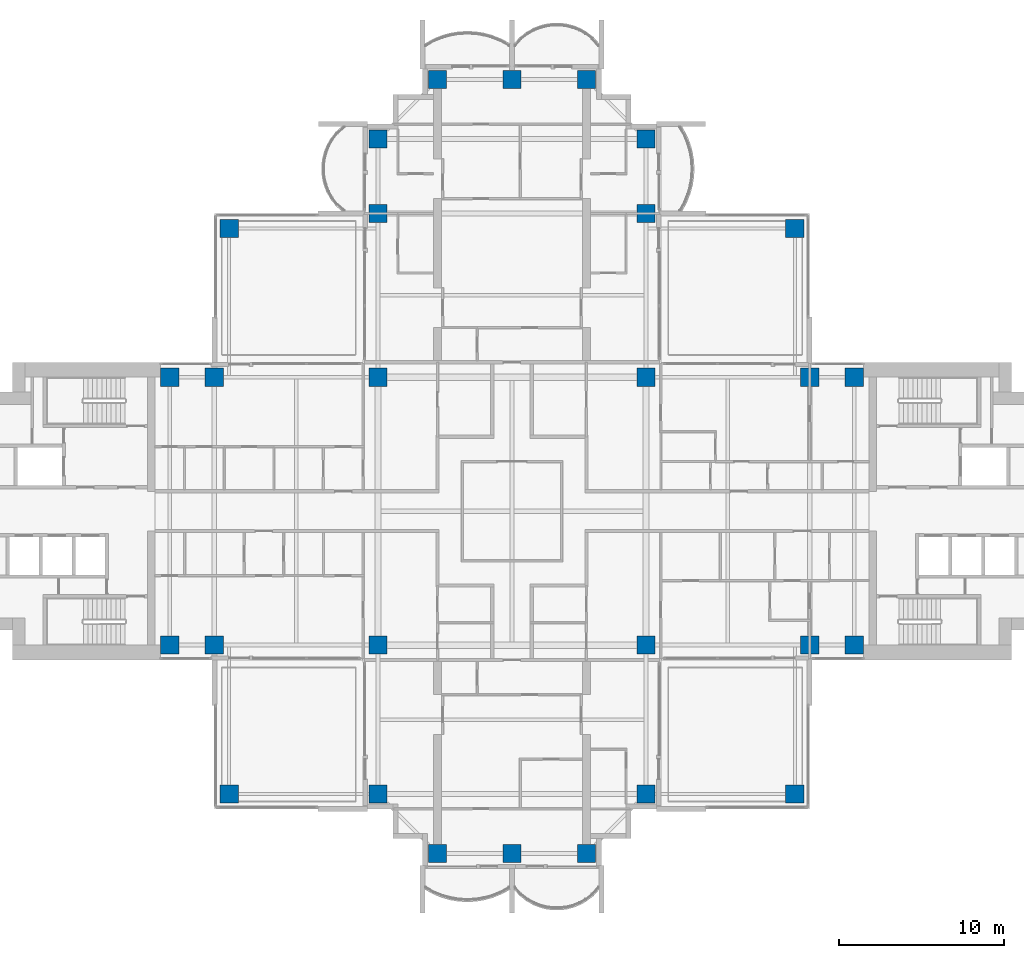
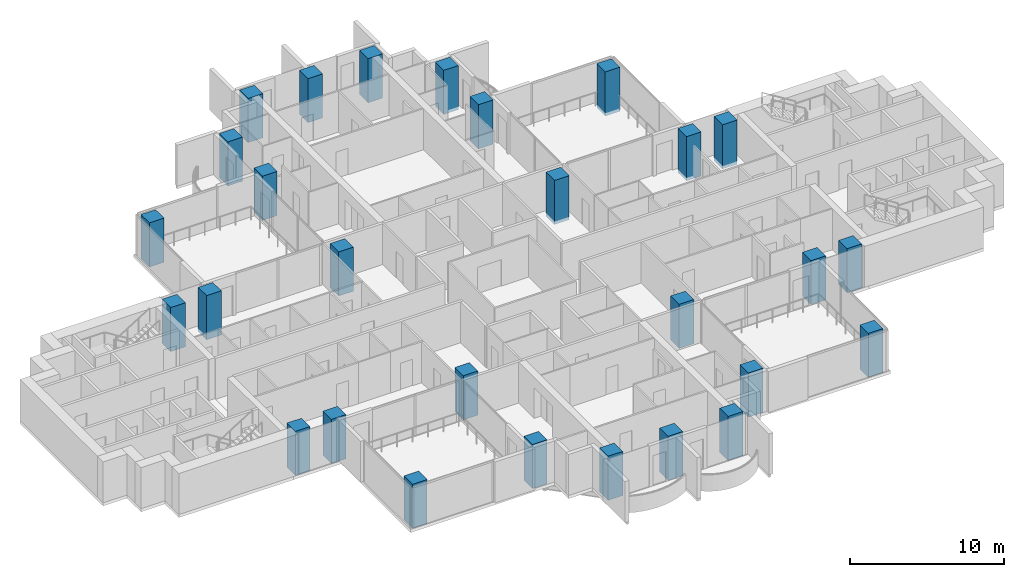
# One storey, part 1 of 19: 28 columns.
"""IFC4 building model written with IfcOpenShell, lengths in metres."""

import ifcopenshell
import ifcopenshell.guid

model = None  # the IFC model being written
_history = None  # IfcOwnerHistory: only IFC2X3 demands one
_inside = {}  # id of a spatial element -> (the spatial element, [elements in it])
_under = {}  # id of a project, library or spatial element -> (it, [spatial elements below it])
_declared = {}  # id of a project -> (the project, [libraries it declares])
_typed = {}  # id of a type object -> (the type object, [elements of that type])
_made_of = {}  # id of a material, layer set ... -> (it, [elements and type objects made of it])


def new_model(schema):
    """Start an empty IFC model of exactly this schema.

    Asked for "IFC4X3", IfcOpenShell would pick the latest addendum, in which some entities
    have other attributes; the version numbers below select the first issue.
    IFC2X3 requires an IfcOwnerHistory on every rooted entity: one is made here for all.
    """
    global model, _history
    if schema == "IFC4X3":
        model = ifcopenshell.file(schema_version=(4, 3, 0, 0))
    else:
        model = ifcopenshell.file(schema=schema)
    _inside.clear()
    _under.clear()
    _declared.clear()
    _typed.clear()
    _made_of.clear()
    _history = None
    if model.schema == "IFC2X3":
        org = make("IfcOrganization", Name="unknown")
        user = make(
            "IfcPersonAndOrganization",
            ThePerson=make("IfcPerson", FamilyName="unknown"),
            TheOrganization=org,
        )
        app = make(
            "IfcApplication",
            ApplicationDeveloper=org,
            Version="unknown",
            ApplicationFullName="unknown",
            ApplicationIdentifier="unknown",
        )
        _history = make(
            "IfcOwnerHistory",
            OwningUser=user,
            OwningApplication=app,
            ChangeAction="ADDED",
            CreationDate=0,
        )
    return model


def make(cls, **values):
    """One entity of the class cls with the attributes given. An attribute that is None is left unset."""
    return model.create_entity(
        cls, **{name: value for name, value in values.items() if value is not None}
    )


def rooted(cls, **values):
    """An entity with a GlobalId (a new one), such as an element, a storey or a relation."""
    return make(cls, GlobalId=ifcopenshell.guid.new(), OwnerHistory=_history, **values)


def si_unit(unit_type, name, prefix=None):
    """IfcSIUnit, for example si_unit("LENGTHUNIT", "METRE", prefix="MILLI")."""
    return make("IfcSIUnit", UnitType=unit_type, Prefix=prefix, Name=name)


def assignment(units):
    """IfcUnitAssignment: the units of a project."""
    return None if units is None else make("IfcUnitAssignment", Units=units)


def point(xyz):
    """IfcCartesianPoint."""
    return None if xyz is None else make("IfcCartesianPoint", Coordinates=xyz)


def direction(xyz):
    """IfcDirection."""
    return None if xyz is None else make("IfcDirection", DirectionRatios=xyz)


def frame(location, z_axis=None, x_axis=None):
    """IfcAxis2Placement3D, a coordinate frame: its origin and axes. An axis left out is left unset."""
    return make(
        "IfcAxis2Placement3D",
        Location=point(location),
        Axis=direction(z_axis),
        RefDirection=direction(x_axis),
    )


def frame_2d(location, x_axis=None):
    """IfcAxis2Placement2D, a coordinate frame in the plane: its origin and x axis."""
    return make(
        "IfcAxis2Placement2D", Location=point(location), RefDirection=direction(x_axis)
    )


def origin():
    """The frame at (0, 0, 0) with its axes left unset."""
    return frame((0.0, 0.0, 0.0))


def origin_2d():
    """The frame at (0, 0) in the plane with its x axis left unset."""
    return frame_2d((0.0, 0.0))


def place(relative_to, where):
    """IfcLocalPlacement: puts the frame where relative to a parent placement (None: the world)."""
    return make(
        "IfcLocalPlacement", PlacementRelTo=relative_to, RelativePlacement=where
    )


def context(
    kind, dimensions, precision=None, world=None, true_north=None, identifier=None
):
    """IfcGeometricRepresentationContext, for example the 3D "Model" context."""
    return make(
        "IfcGeometricRepresentationContext",
        ContextIdentifier=identifier,
        ContextType=kind,
        CoordinateSpaceDimension=dimensions,
        Precision=precision,
        WorldCoordinateSystem=world,
        TrueNorth=true_north,
    )


def subcontext(parent, identifier, kind, view, scale=None):
    """IfcGeometricRepresentationSubContext, for example "Body" below "Model"."""
    return make(
        "IfcGeometricRepresentationSubContext",
        ContextIdentifier=identifier,
        ContextType=kind,
        ParentContext=parent,
        TargetScale=scale,
        TargetView=view,
    )


def project(units=None, contexts=None):
    """IfcProject with its units and contexts."""
    return rooted(
        "IfcProject",
        Name="project",
        RepresentationContexts=contexts,
        UnitsInContext=assignment(units),
    )


def spatial(cls, under=None, at=None, **own):
    """A site, building, storey or space (cls), placed at a placement, below another one or the project."""
    s = rooted(cls, ObjectPlacement=at, **own)
    if under is not None:
        _under.setdefault(under.id(), (under, []))[1].append(s)
    return s


def profile(cls, at=None, kind="AREA", **sizes):
    """A parametric profile (cls). Its sizes go by their IFC names, for example OverallWidth=200.0."""
    return make(cls, ProfileType=kind, Position=at, **sizes)


def rectangle(**sizes):
    """IfcRectangleProfileDef."""
    return profile("IfcRectangleProfileDef", **sizes)


def extrude(swept, where, along, depth):
    """IfcExtrudedAreaSolid: the profile swept, set in the frame where, extruded along a direction by depth."""
    return make(
        "IfcExtrudedAreaSolid",
        SweptArea=swept,
        Position=where,
        ExtrudedDirection=direction(along),
        Depth=depth,
    )


def shape(context_of_items, identifier, shape_type, items):
    """IfcShapeRepresentation: the items that make up one representation, for example the "Body"."""
    return make(
        "IfcShapeRepresentation",
        ContextOfItems=context_of_items,
        RepresentationIdentifier=identifier,
        RepresentationType=shape_type,
        Items=items,
    )


def material(Name=None, Category=None):
    """IfcMaterial."""
    return make("IfcMaterial", Name=Name, Category=Category)


def material_profile(
    of_material, cross_section, Name=None, Category=None, Priority=None
):
    """IfcMaterialProfile: a cross section and its material."""
    return make(
        "IfcMaterialProfile",
        Name=Name,
        Material=of_material,
        Profile=cross_section,
        Priority=Priority,
        Category=Category,
    )


def profile_set(profiles, Name=None, composite=None):
    """IfcMaterialProfileSet."""
    return make(
        "IfcMaterialProfileSet",
        Name=Name,
        MaterialProfiles=profiles,
        CompositeProfile=composite,
    )


def made_of(thing, what):
    """Note that an element or type object is made of a material, layer set ...; save() writes the relation."""
    if what is not None:
        _made_of.setdefault(what.id(), (what, []))[1].append(thing)
    return thing


def type_object(cls, material=None, **own):
    """A type object (cls), such as IfcWallType, which elements share."""
    return made_of(rooted(cls, **own), material)


def element(
    cls,
    number,
    at=None,
    inside=None,
    cuts=None,
    type_object=None,
    material=None,
    context=None,
    identifier="Body",
    shape_type=None,
    held_by="IfcProductDefinitionShape",
    body=None,
    shapes=None,
    **own,
):
    """One element of the class cls, such as IfcWall. Its Tag is "e" and its number.

    at: its placement. inside: the storey or other place that contains it. cuts: it is an
    opening in that element (IfcRelVoidsElement). A single representation is given by context,
    identifier, shape_type and body (its items); several are given by shapes. held_by: the class
    of the entity that holds the representations. save() writes the other relations.
    """
    e = rooted(cls, Tag="e%d" % number, ObjectPlacement=at, **own)
    if body is not None:
        shapes = [shape(context, identifier, shape_type, body)]
    if shapes is not None:
        e.Representation = make(held_by, Representations=shapes)
    if inside is not None:
        _inside.setdefault(inside.id(), (inside, []))[1].append(e)
    if cuts is not None:
        rooted(
            "IfcRelVoidsElement", RelatingBuildingElement=cuts, RelatedOpeningElement=e
        )
    if type_object is not None:
        _typed.setdefault(type_object.id(), (type_object, []))[1].append(e)
    return made_of(e, material)


def aggregate(whole, parts):
    """IfcRelAggregates: a whole, such as a stair, and the parts it consists of."""
    return rooted("IfcRelAggregates", RelatingObject=whole, RelatedObjects=parts)


def save(model, path):
    """Write the relations noted so far, then the file.

    IfcRelAggregates (storeys below a building ...), IfcRelContainedInSpatialStructure (elements
    in a storey), IfcRelDefinesByType, IfcRelAssociatesMaterial and IfcRelDeclares: one each for
    every whole, place, type object, material and project.
    """
    for whole, parts in _under.values():
        aggregate(whole, parts)
    for where, things in _inside.values():
        rooted(
            "IfcRelContainedInSpatialStructure",
            RelatedElements=things,
            RelatingStructure=where,
        )
    for kind, things in _typed.values():
        rooted("IfcRelDefinesByType", RelatedObjects=things, RelatingType=kind)
    for what, things in _made_of.values():
        rooted("IfcRelAssociatesMaterial", RelatedObjects=things, RelatingMaterial=what)
    for by, libraries in _declared.values():
        rooted("IfcRelDeclares", RelatingContext=by, RelatedDefinitions=libraries)
    model.write(path)


model = new_model("IFC4")

# Units and contexts
model_context = context("Model", 3, precision=1e-05, world=origin(), true_north=direction((0.0, 1.0)))
body_context = subcontext(model_context, "Body", "Model", "MODEL_VIEW")
ifc_project = project(units=[si_unit("LENGTHUNIT", "METRE"), si_unit("AREAUNIT", "SQUARE_METRE"), si_unit("VOLUMEUNIT", "CUBIC_METRE"), si_unit("PLANEANGLEUNIT", "RADIAN"), si_unit("MASSUNIT", "GRAM", prefix="KILO")], contexts=[model_context])

# Site, building, storey
site_placement = place(None, origin())
site = spatial("IfcSite", under=ifc_project, at=site_placement, CompositionType="ELEMENT")
building_placement = place(site_placement, origin())
building = spatial("IfcBuilding", under=site, at=building_placement, Name="Perihelion Cross Residences", CompositionType="ELEMENT")
storey_placement = place(building_placement, frame((0.0, 0.0, 144.39990234375)))
storey = spatial("IfcBuildingStorey", under=building, at=storey_placement, Name="L35", CompositionType="ELEMENT", Elevation=144.39990234375)

# Columns
ifc_material = material(Name="Concrete C60/75", Category="concrete")
ifc_material_profile = material_profile(ifc_material, rectangle(XDim=1.10009765625, YDim=1.10009765625, at=origin_2d()), Name="RC 1100x1100")
ifc_profile_set = profile_set([ifc_material_profile], Name="Concrete C60/75")
column_type = type_object("IfcColumnType", Name="Reinforced concrete column 1100x1100 C60/75", PredefinedType="COLUMN", material=ifc_profile_set)
for number, where, z_axis, x_axis, name in (
    (1, (-20.699951171875, -8.10009765625, -0.25), (0.0, 0.0, 1.0), (1.0, 0.0, 0.0), "Column C017 L35 no. 1"),
    (2, (-20.699951171875, 8.10009765625, -0.25), (0.0, 0.0, 1.0), (1.0, 0.0, 0.0), "Column C010 L35 no. 1"),
    (3, (-18.0, -8.10009765625, -0.25), (0.0, 0.0, 1.0), (1.0, 0.0, 0.0), "Column C018 L35 no. 1"),
    (4, (-18.0, 8.10009765625, -0.25), (0.0, 0.0, 1.0), (1.0, 0.0, 0.0), "Column C011 L35 no. 1"),
    (5, (-8.10009765625, -17.10009765625, -0.25), (0.0, 0.0, 1.0), (1.0, 0.0, 0.0), "Column C031 L35 no. 1"),
    (6, (-8.10009765625, -8.10009765625, -0.25), (0.0, 0.0, 1.0), (1.0, 0.0, 0.0), "Column C019 L35 no. 1"),
    (7, (-8.10009765625, 8.10009765625, -0.25), (0.0, 0.0, 1.0), (1.0, 0.0, 0.0), "Column C012 L35 no. 1"),
    (8, (-8.10009765625, 18.0, -0.25), (0.0, 0.0, 1.0), (1.0, 0.0, 0.0), "Column C006 L35 no. 1"),
    (9, (-8.10009765625, 22.5, -0.25), (0.0, 0.0, 1.0), (1.0, 0.0, 0.0), "Column C004 L35 no. 1"),
    (10, (-4.5, -20.699951171875, -0.25), (0.0, 0.0, 1.0), (1.0, 0.0, 0.0), "Column C037 L35 no. 1"),
    (11, (-4.5, 26.10009765625, -0.25), (0.0, 0.0, 1.0), (1.0, 0.0, 0.0), "Column C001 L35 no. 1"),
    (12, (0.0, -20.699951171875, -0.25), (0.0, 0.0, 1.0), (1.0, 0.0, 0.0), "Column C038 L35 no. 1"),
    (13, (0.0, 26.10009765625, -0.25), (0.0, 0.0, 1.0), (1.0, 0.0, 0.0), "Column C002 L35 no. 1"),
    (14, (4.5, -20.699951171875, -0.25), (0.0, 0.0, 1.0), (1.0, 0.0, 0.0), "Column C039 L35 no. 1"),
    (15, (4.5, 26.10009765625, -0.25), (0.0, 0.0, 1.0), (1.0, 0.0, 0.0), "Column C003 L35 no. 1"),
    (16, (8.10009765625, -17.10009765625, -0.25), (0.0, 0.0, 1.0), (1.0, 0.0, 0.0), "Column C035 L35 no. 1"),
    (17, (8.10009765625, -8.10009765625, -0.25), (0.0, 0.0, 1.0), (1.0, 0.0, 0.0), "Column C020 L35 no. 1"),
    (18, (8.10009765625, 8.10009765625, -0.25), (0.0, 0.0, 1.0), (1.0, 0.0, 0.0), "Column C014 L35 no. 1"),
    (19, (8.10009765625, 18.0, -0.25), (0.0, 0.0, 1.0), (1.0, 0.0, 0.0), "Column C007 L35 no. 1"),
    (20, (8.10009765625, 22.5, -0.25), (0.0, 0.0, 1.0), (1.0, 0.0, 0.0), "Column C005 L35 no. 1"),
    (21, (18.0, -8.10009765625, -0.25), (0.0, 0.0, 1.0), (1.0, 0.0, 0.0), "Column C021 L35 no. 1"),
    (22, (18.0, 8.10009765625, -0.25), (0.0, 0.0, 1.0), (1.0, 0.0, 0.0), "Column C015 L35 no. 1"),
    (23, (20.699951171875, -8.10009765625, -0.25), (0.0, 0.0, 1.0), (1.0, 0.0, 0.0), "Column C022 L35 no. 1"),
    (24, (20.699951171875, 8.10009765625, -0.25), (0.0, 0.0, 1.0), (1.0, 0.0, 0.0), "Column C016 L35 no. 1"),
    (25, (17.10009765625, 17.10009765625, -0.25), (0.0, 0.0, 1.0), (1.0, 0.0, 0.0), "Column C009 L35 no. 1"),
    (26, (-17.10009765625, 17.10009765625, -0.25), (0.0, 0.0, 1.0), (1.0, 0.0, 0.0), "Column C008 L35 no. 1"),
    (27, (-17.10009765625, -17.10009765625, -0.25), (0.0, 0.0, 1.0), (1.0, 0.0, 0.0), "Column C030 L35 no. 1"),
    (28, (17.10009765625, -17.10009765625, -0.25), (0.0, 0.0, 1.0), (1.0, 0.0, 0.0), "Column C036 L35 no. 1"),
):
    element("IfcColumn", number, at=place(storey_placement, frame(where, z_axis=z_axis, x_axis=x_axis)), inside=storey, type_object=column_type, Name=name, PredefinedType="COLUMN", context=body_context, shape_type="SweptSolid", body=[
        extrude(rectangle(XDim=1.10009765625, YDim=1.10009765625, at=origin_2d()), origin(), (0.0, 0.0, 1.0), 3.5),
    ])

save(model, "model.ifc")
